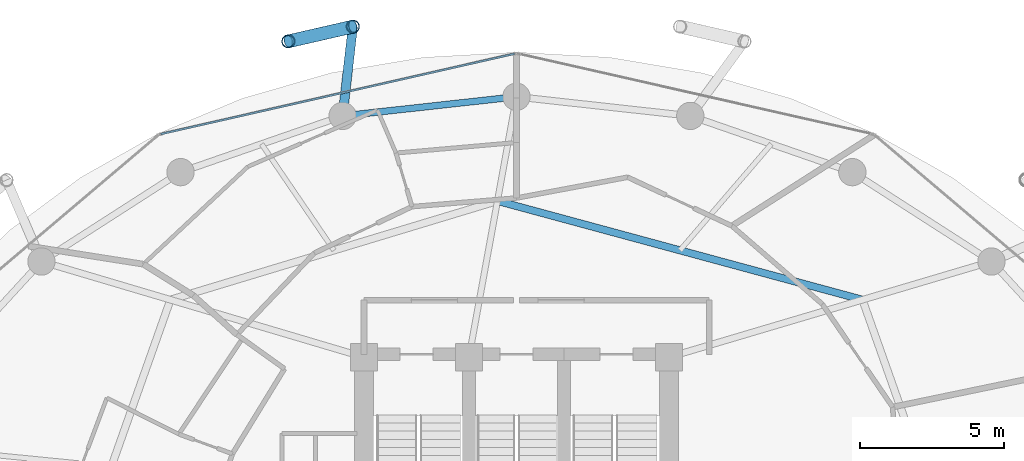
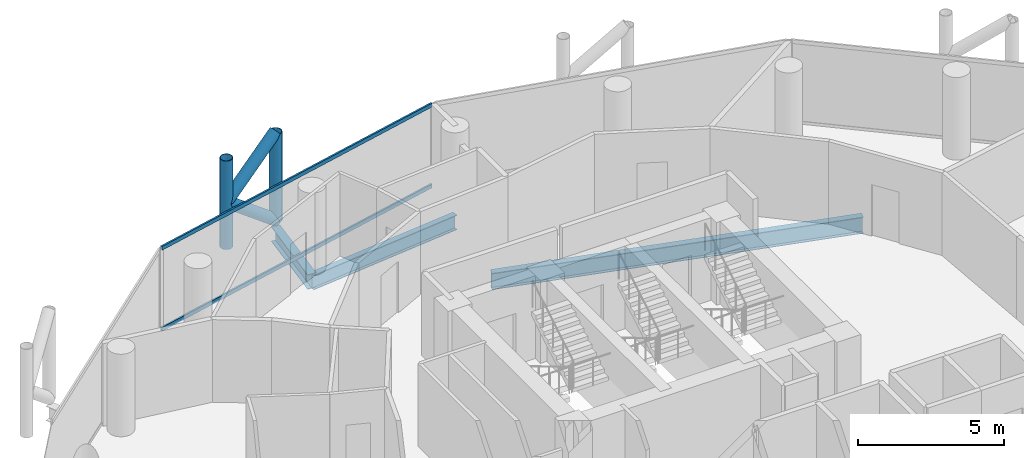
# One storey, part 16 of 26: 6 members, 3 beams, 1 element without a shape of its own.
"""IFC4 building model written with IfcOpenShell, lengths in metres."""

from ifc_helpers import new_model, si_unit, direction, frame, origin, origin_2d, place, context, subcontext, project, spatial, hollow_rectangle, hollow_circle, i_section, extrude, material, layer, layer_set, material_profile, profile_set, type_object, element, aggregate, save


model = new_model("IFC4")

# Units and contexts
model_context = context("Model", 3, precision=1e-05, world=origin(), true_north=direction((0.0, 1.0)))
body_context = subcontext(model_context, "Body", "Model", "MODEL_VIEW")
ifc_project = project(units=[si_unit("LENGTHUNIT", "METRE"), si_unit("AREAUNIT", "SQUARE_METRE"), si_unit("VOLUMEUNIT", "CUBIC_METRE"), si_unit("PLANEANGLEUNIT", "RADIAN"), si_unit("MASSUNIT", "GRAM", prefix="KILO")], contexts=[model_context])

# Site, building, storey
site_placement = place(None, origin())
site = spatial("IfcSite", under=ifc_project, at=site_placement, CompositionType="ELEMENT")
building_placement = place(site_placement, origin())
building = spatial("IfcBuilding", under=site, at=building_placement, Name="Nuhasar Tower", CompositionType="ELEMENT")
storey_placement = place(building_placement, frame((0.0, 0.0, 140.449951171875)))
storey = spatial("IfcBuildingStorey", under=building, at=storey_placement, Name="L33", CompositionType="ELEMENT", Elevation=140.449951171875)

# Beams
ifc_material_1 = material(Name="Steel S355", Category="steel")
ifc_material_profile_1 = material_profile(ifc_material_1, i_section(OverallWidth=0.25390625, OverallDepth=0.68408203125, WebThickness=0.012451171875, FlangeThickness=0.018798828125, at=origin_2d()), Name="W27X94")
ifc_profile_set_1 = profile_set([ifc_material_profile_1], Name="Steel S355")
beam_type_1 = type_object("IfcBeamType", Name="BM-INRING-W27X94", PredefinedType="BEAM", material=ifc_profile_set_1)
beam_1_placement = place(storey_placement, frame((51.027099609375, 39.2939453125, -0.592041015625), z_axis=(-0.96522695776, 0.261413312618, 0.0), x_axis=(-0.261413312618, -0.96522695776, 0.0)))
element("IfcBeam", 1, at=beam_1_placement, inside=storey, type_object=beam_type_1, Name="L33 Inner Header Beam 05", PredefinedType="BEAM", context=body_context, shape_type="SweptSolid", body=[
    extrude(i_section(OverallWidth=0.25390625, OverallDepth=0.68408203125, WebThickness=0.012451171875, FlangeThickness=0.018798828125, at=origin_2d()), origin(), (0.0, 0.0, 1.0), 13.14404296875),
])
ifc_material_profile_2 = material_profile(ifc_material_1, i_section(OverallWidth=0.22998046875, OverallDepth=0.616943359375, WebThickness=0.01318359375, FlangeThickness=0.022216796875, at=origin_2d()), Name="W24X94")
ifc_profile_set_2 = profile_set([ifc_material_profile_2], Name="Steel S355")
beam_type_2 = type_object("IfcBeamType", Name="BM-RING-W24X94", PredefinedType="SPANDREL", material=ifc_profile_set_2)
beam_2_placement = place(storey_placement, frame((39.0, 46.35009765625, -0.558837890625), z_axis=(-0.993981289157, -0.109549974015, 0.0), x_axis=(0.109549974015, -0.993981289157, 0.0)))
element("IfcBeam", 2, at=beam_2_placement, inside=storey, type_object=beam_type_2, Name="L33 Perimeter Ring Spandrel 07", PredefinedType="SPANDREL", context=body_context, shape_type="SweptSolid", body=[
    extrude(i_section(OverallWidth=0.22998046875, OverallDepth=0.616943359375, WebThickness=0.01318359375, FlangeThickness=0.022216796875, at=origin_2d()), origin(), (0.0, 0.0, 1.0), 6.07958984375),
])
ifc_material_profile_3 = material_profile(ifc_material_1, i_section(OverallWidth=0.323974609375, OverallDepth=0.611083984375, WebThickness=0.0126953125, FlangeThickness=0.01904296875, at=origin_2d()), Name="W24X104")
ifc_profile_set_3 = profile_set([ifc_material_profile_3], Name="Steel S355")
beam_type_3 = type_object("IfcBeamType", Name="BM-TIE-W24X104", PredefinedType="BEAM", material=ifc_profile_set_3)
beam_3_placement = place(storey_placement, frame((32.95703125, 45.68408203125, -0.555908203125), z_axis=(0.114167639647, 0.993461499031, 0.0), x_axis=(-0.993461499031, 0.114167639647, 0.0)))
element("IfcBeam", 3, at=beam_3_placement, inside=storey, type_object=beam_type_3, Name="L33 Exoskeleton Node Tie Beam 04", PredefinedType="BEAM", context=body_context, shape_type="SweptSolid", body=[
    extrude(i_section(OverallWidth=0.323974609375, OverallDepth=0.611083984375, WebThickness=0.0126953125, FlangeThickness=0.01904296875, at=origin_2d()), origin(), (0.0, 0.0, 1.0), 3.12646484375),
])

# Curtain wall, members
ifc_material_2 = material(Name="Aluminium 6063-T6", Category="aluminium")
ifc_layer = layer(ifc_material_2, 0.199951171875)
ifc_layer_set = layer_set([ifc_layer], Name="Aluminium 6063-T6")
curtain_wall_type = type_object("IfcCurtainWallType", Name="CW-Z2-HTL", PredefinedType="NOTDEFINED", material=ifc_layer_set)
curtain_wall_placement = place(storey_placement, origin())
curtain_wall = element("IfcCurtainWall", 4, at=curtain_wall_placement, inside=storey, type_object=curtain_wall_type, Name="L33 Unitised Curtain Wall 04", PredefinedType="NOTDEFINED")
ifc_material_profile_4 = material_profile(ifc_material_2, hollow_rectangle(XDim=0.070068359375, YDim=0.159912109375, WallThickness=0.00439453125, at=origin_2d()), Name="CWT-3")
ifc_profile_set_4 = profile_set([ifc_material_profile_4], Name="Aluminium 6063-T6")
member_type_1 = type_object("IfcMemberType", Name="CW-TRN-S3", PredefinedType="USERDEFINED", material=ifc_profile_set_4)
member_1_placement = place(storey_placement, frame((38.931640625, 47.844482421875, 0.03515625), z_axis=(-0.975183434528, -0.221398439519, 0.0), x_axis=(0.221398439519, -0.975183434528, 0.0)))
member_1 = element("IfcMember", 5, at=member_1_placement, type_object=member_type_1, Name="CW-Z2 transom 1.1", ObjectType="TRANSOM", PredefinedType="USERDEFINED", context=body_context, shape_type="SweptSolid", body=[
    extrude(hollow_rectangle(XDim=0.070068359375, YDim=0.159912109375, WallThickness=0.00439453125, at=origin_2d()), origin(), (0.0, 0.0, 1.0), 12.606201171875),
])
member_2_placement = place(storey_placement, frame((38.931640625, 47.844482421875, 3.4150390625), z_axis=(-0.975183434528, -0.221398439519, 0.0), x_axis=(0.221398439519, -0.975183434528, 0.0)))
member_2 = element("IfcMember", 6, at=member_2_placement, type_object=member_type_1, Name="CW-Z2 transom 1.2", ObjectType="TRANSOM", PredefinedType="USERDEFINED", context=body_context, shape_type="SweptSolid", body=[
    extrude(hollow_rectangle(XDim=0.070068359375, YDim=0.159912109375, WallThickness=0.00439453125, at=origin_2d()), origin(), (0.0, 0.0, 1.0), 12.606201171875),
])
aggregate(curtain_wall, [member_1, member_2])

# Members
ifc_material_3 = material(Name="Steel S460", Category="steel")
ifc_material_profile_5 = material_profile(ifc_material_3, hollow_circle(Radius=0.228515625, WallThickness=0.022216796875, at=origin_2d()), Name="HSS457X22.2")
ifc_profile_set_5 = profile_set([ifc_material_profile_5], Name="Steel S460")
member_type_2 = type_object("IfcMemberType", Name="EXO-BRONZE-457", PredefinedType="BRACE", material=ifc_profile_set_5)
for number, where, z_axis, x_axis, name in (
    (7, (33.31396484375, 48.7900390625, 0.0), (0.0, 0.0, 1.0), (1.0, 0.0, 0.0), "L33 Exoskeleton Chord Column EC-04A"),
    (8, (31.072021484375, 48.27587890625, 0.0), (0.0, 0.0, 1.0), (1.0, 0.0, 0.0), "L33 Exoskeleton Chord Column EC-04B"),
):
    element("IfcMember", number, at=place(storey_placement, frame(where, z_axis=z_axis, x_axis=x_axis)), inside=storey, type_object=member_type_2, Name=name, PredefinedType="BRACE", context=body_context, shape_type="SweptSolid", body=[
        extrude(hollow_circle(Radius=0.228515625, WallThickness=0.022216796875, at=origin_2d()), origin(), (0.0, 0.0, 1.0), 3.699951171875),
    ])
member_3_placement = place(storey_placement, frame((33.31396484375, 48.7900390625, 0.0), z_axis=(-0.759499549084, -0.174181209885, 0.626754609927), x_axis=(0.223533724104, -0.974696195842, 0.0)))
element("IfcMember", 9, at=member_3_placement, inside=storey, type_object=member_type_2, Name="L33 Bronze Diagrid Brace W1-04", PredefinedType="BRACE", context=body_context, shape_type="SweptSolid", body=[
    extrude(hollow_circle(Radius=0.228515625, WallThickness=0.022216796875, at=origin_2d()), origin(), (0.0, 0.0, 1.0), 2.951904296875),
])
member_4_placement = place(storey_placement, frame((31.072021484375, 48.27587890625, 1.85009765625), z_axis=(0.759538919781, 0.174190239035, 0.626704388019), x_axis=(-0.223533724104, 0.974696195842, 0.0)))
element("IfcMember", 10, at=member_4_placement, inside=storey, type_object=member_type_2, Name="L33 Bronze Diagrid Brace W2-04", PredefinedType="BRACE", context=body_context, shape_type="SweptSolid", body=[
    extrude(hollow_circle(Radius=0.228515625, WallThickness=0.022216796875, at=origin_2d()), origin(), (0.0, 0.0, 1.0), 2.95166015625),
])

save(model, "model.ifc")
